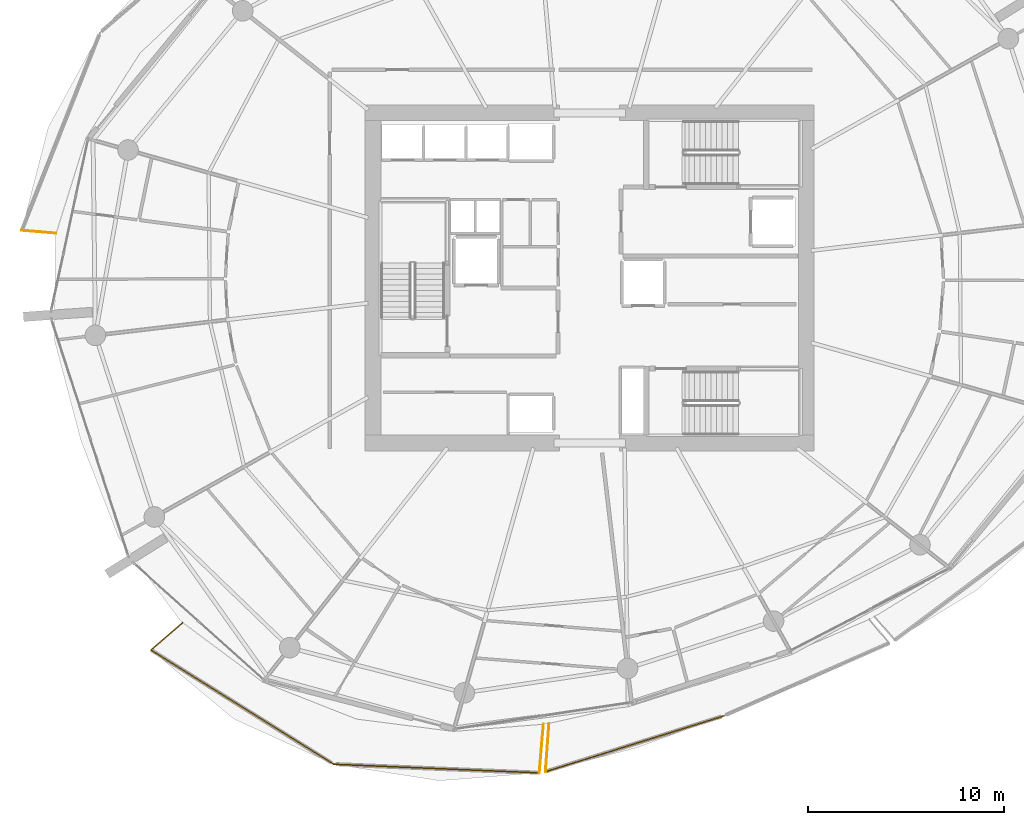
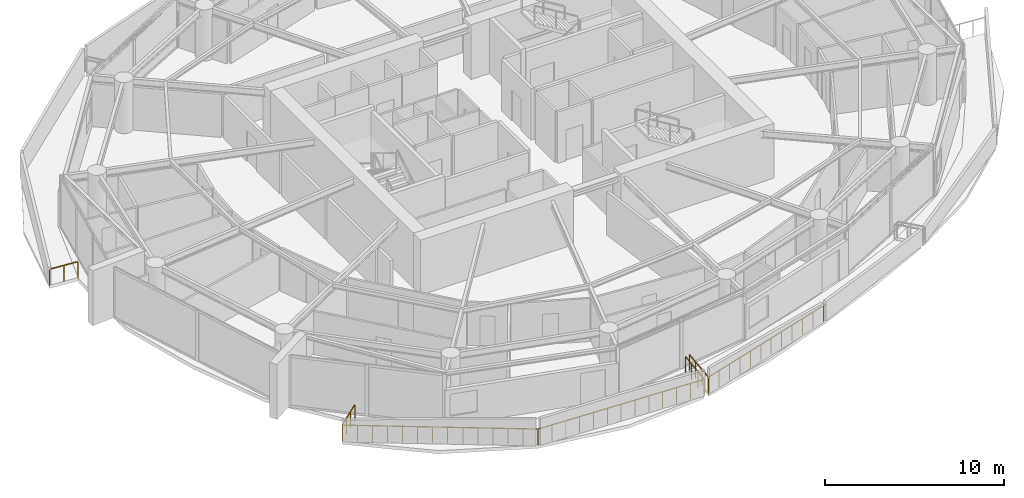
# One storey, part 16 of 20: 7 railings.
"""IFC4 building model written with IfcOpenShell, lengths in metres."""

from ifc_helpers import new_model, si_unit, direction, frame, origin, origin_2d, place, context, subcontext, project, spatial, rectangle, extrude, material, type_object, element, save


model = new_model("IFC4")

# Units and contexts
model_context = context("Model", 3, precision=1e-05, world=origin(), true_north=direction((0.0, 1.0)))
body_context = subcontext(model_context, "Body", "Model", "MODEL_VIEW")
ifc_project = project(units=[si_unit("LENGTHUNIT", "METRE"), si_unit("AREAUNIT", "SQUARE_METRE"), si_unit("VOLUMEUNIT", "CUBIC_METRE"), si_unit("PLANEANGLEUNIT", "RADIAN"), si_unit("MASSUNIT", "GRAM", prefix="KILO")], contexts=[model_context])

# Site, building, storey
site_placement = place(None, origin())
site = spatial("IfcSite", under=ifc_project, at=site_placement, CompositionType="ELEMENT")
building_placement = place(site_placement, origin())
building = spatial("IfcBuilding", under=site, at=building_placement, Name="Kazma Halo Residences", CompositionType="ELEMENT")
storey_placement = place(building_placement, frame((0.0, 0.0, 146.550048828125)))
storey = spatial("IfcBuildingStorey", under=building, at=storey_placement, Name="L36", CompositionType="ELEMENT", Elevation=146.550048828125)

# Railings
ifc_material = material(Name="Aluminium AW-6063 T6 Brushed Cap Rail", Category="aluminium")
railing_type = type_object("IfcRailingType", Name="RLG-BAL-CAP-1120", PredefinedType="BALUSTRADE", material=ifc_material)
railing_1_placement = place(storey_placement, frame((19.515380859375, 44.4169921875, 0.0)))
element("IfcRailing", 1, at=railing_1_placement, inside=storey, type_object=railing_type, Name="L36 NW wave balcony guard 4", PredefinedType="BALUSTRADE", context=body_context, shape_type="SweptSolid", body=[
    extrude(rectangle(XDim=0.050048828125, YDim=0.050048828125, at=origin_2d()), frame((0.04248046875, -0.003662109375, 1.09521484375), z_axis=(0.996415217957, -0.084597360621, 0.0), x_axis=(0.084597360621, 0.996415217957, 0.0)), (0.0, 0.0, 1.0), 1.67236328125),
    extrude(rectangle(XDim=0.0400390625, YDim=0.0400390625, at=origin_2d()), origin(), (0.0, 0.0, 1.0), 1.05810546875),
    extrude(rectangle(XDim=0.0400390625, YDim=0.0400390625, at=origin_2d()), frame((0.87548828125, -0.07421875, 0.0)), (0.0, 0.0, 1.0), 1.05810546875),
    extrude(rectangle(XDim=0.0400390625, YDim=0.0400390625, at=origin_2d()), frame((1.751220703125, -0.148681640625, 0.0)), (0.0, 0.0, 1.0), 1.05810546875),
])
railing_2_placement = place(storey_placement, frame((27.705322265625, 24.451416015625, 0.0)))
element("IfcRailing", 2, at=railing_2_placement, inside=storey, type_object=railing_type, Name="L36 SW wave balcony guard 1", PredefinedType="BALUSTRADE", context=body_context, shape_type="SweptSolid", body=[
    extrude(rectangle(XDim=0.050048828125, YDim=0.050048828125, at=origin_2d()), frame((-0.0322265625, -0.02783203125, 1.09521484375), z_axis=(-0.756373912854, -0.654139514136, 0.0), x_axis=(0.654139514136, -0.756373912854, 0.0)), (0.0, 0.0, 1.0), 2.042724609375),
    extrude(rectangle(XDim=0.0400390625, YDim=0.0400390625, at=origin_2d()), origin(), (0.0, 0.0, 1.0), 1.05810546875),
    extrude(rectangle(XDim=0.0400390625, YDim=0.0400390625, at=origin_2d()), frame((-0.536376953125, -0.4638671875, 0.0)), (0.0, 0.0, 1.0), 1.05810546875),
    extrude(rectangle(XDim=0.0400390625, YDim=0.0400390625, at=origin_2d()), frame((-1.072998046875, -0.927978515625, 0.0)), (0.0, 0.0, 1.0), 1.05810546875),
    extrude(rectangle(XDim=0.0400390625, YDim=0.0400390625, at=origin_2d()), frame((-1.609375, -1.391845703125, 0.0)), (0.0, 0.0, 1.0), 1.05810546875),
])
railing_3_placement = place(storey_placement, frame((26.095947265625, 23.0595703125, 0.0)))
element("IfcRailing", 3, at=railing_3_placement, inside=storey, type_object=railing_type, Name="L36 SW wave balcony guard 2", PredefinedType="BALUSTRADE", context=body_context, shape_type="SweptSolid", body=[
    extrude(rectangle(XDim=0.050048828125, YDim=0.050048828125, at=origin_2d()), frame((0.0361328125, -0.0224609375, 1.09521484375), z_axis=(0.847681544963, -0.530505417812, 0.0), x_axis=(0.530505417812, 0.847681544963, 0.0)), (0.0, 0.0, 1.0), 10.875244140625),
    extrude(rectangle(XDim=0.0400390625, YDim=0.0400390625, at=origin_2d()), origin(), (0.0, 0.0, 1.0), 1.05810546875),
    extrude(rectangle(XDim=0.0400390625, YDim=0.0400390625, at=origin_2d()), frame((0.714599609375, -0.447265625, 0.0)), (0.0, 0.0, 1.0), 1.05810546875),
    extrude(rectangle(XDim=0.0400390625, YDim=0.0400390625, at=origin_2d()), frame((1.429443359375, -0.89453125, 0.0)), (0.0, 0.0, 1.0), 1.05810546875),
    extrude(rectangle(XDim=0.0400390625, YDim=0.0400390625, at=origin_2d()), frame((2.14404296875, -1.341796875, 0.0)), (0.0, 0.0, 1.0), 1.05810546875),
    extrude(rectangle(XDim=0.0400390625, YDim=0.0400390625, at=origin_2d()), frame((2.858642578125, -1.7890625, 0.0)), (0.0, 0.0, 1.0), 1.05810546875),
    extrude(rectangle(XDim=0.0400390625, YDim=0.0400390625, at=origin_2d()), frame((3.573486328125, -2.236328125, 0.0)), (0.0, 0.0, 1.0), 1.05810546875),
    extrude(rectangle(XDim=0.0400390625, YDim=0.0400390625, at=origin_2d()), frame((4.2880859375, -2.68359375, 0.0)), (0.0, 0.0, 1.0), 1.05810546875),
    extrude(rectangle(XDim=0.0400390625, YDim=0.0400390625, at=origin_2d()), frame((5.002685546875, -3.130859375, 0.0)), (0.0, 0.0, 1.0), 1.05810546875),
    extrude(rectangle(XDim=0.0400390625, YDim=0.0400390625, at=origin_2d()), frame((5.71728515625, -3.578125, 0.0)), (0.0, 0.0, 1.0), 1.05810546875),
    extrude(rectangle(XDim=0.0400390625, YDim=0.0400390625, at=origin_2d()), frame((6.43212890625, -4.025390625, 0.0)), (0.0, 0.0, 1.0), 1.05810546875),
    extrude(rectangle(XDim=0.0400390625, YDim=0.0400390625, at=origin_2d()), frame((7.146728515625, -4.47265625, 0.0)), (0.0, 0.0, 1.0), 1.05810546875),
    extrude(rectangle(XDim=0.0400390625, YDim=0.0400390625, at=origin_2d()), frame((7.861328125, -4.919921875, 0.0)), (0.0, 0.0, 1.0), 1.05810546875),
    extrude(rectangle(XDim=0.0400390625, YDim=0.0400390625, at=origin_2d()), frame((8.576171875, -5.3671875, 0.0)), (0.0, 0.0, 1.0), 1.05810546875),
    extrude(rectangle(XDim=0.0400390625, YDim=0.0400390625, at=origin_2d()), frame((9.290771484375, -5.814453125, 0.0)), (0.0, 0.0, 1.0), 1.05810546875),
])
railing_4_placement = place(storey_placement, frame((35.38671875, 17.2451171875, 0.0)))
element("IfcRailing", 4, at=railing_4_placement, inside=storey, type_object=railing_type, Name="L36 SW wave balcony guard 3", PredefinedType="BALUSTRADE", context=body_context, shape_type="SweptSolid", body=[
    extrude(rectangle(XDim=0.050048828125, YDim=0.050048828125, at=origin_2d()), frame((0.04248046875, -0.001708984375, 1.09521484375), z_axis=(0.999119297939, -0.041959843733, 0.0), x_axis=(0.041959843733, 0.999119297939, 0.0)), (0.0, 0.0, 1.0), 10.399658203125),
    extrude(rectangle(XDim=0.0400390625, YDim=0.0400390625, at=origin_2d()), origin(), (0.0, 0.0, 1.0), 1.05810546875),
    extrude(rectangle(XDim=0.0400390625, YDim=0.0400390625, at=origin_2d()), frame((0.873046875, -0.03662109375, 0.0)), (0.0, 0.0, 1.0), 1.05810546875),
    extrude(rectangle(XDim=0.0400390625, YDim=0.0400390625, at=origin_2d()), frame((1.745849609375, -0.0732421875, 0.0)), (0.0, 0.0, 1.0), 1.05810546875),
    extrude(rectangle(XDim=0.0400390625, YDim=0.0400390625, at=origin_2d()), frame((2.618896484375, -0.10986328125, 0.0)), (0.0, 0.0, 1.0), 1.05810546875),
    extrude(rectangle(XDim=0.0400390625, YDim=0.0400390625, at=origin_2d()), frame((3.491943359375, -0.146728515625, 0.0)), (0.0, 0.0, 1.0), 1.05810546875),
    extrude(rectangle(XDim=0.0400390625, YDim=0.0400390625, at=origin_2d()), frame((4.36474609375, -0.183349609375, 0.0)), (0.0, 0.0, 1.0), 1.05810546875),
    extrude(rectangle(XDim=0.0400390625, YDim=0.0400390625, at=origin_2d()), frame((5.23779296875, -0.219970703125, 0.0)), (0.0, 0.0, 1.0), 1.05810546875),
    extrude(rectangle(XDim=0.0400390625, YDim=0.0400390625, at=origin_2d()), frame((6.11083984375, -0.256591796875, 0.0)), (0.0, 0.0, 1.0), 1.05810546875),
    extrude(rectangle(XDim=0.0400390625, YDim=0.0400390625, at=origin_2d()), frame((6.983642578125, -0.293212890625, 0.0)), (0.0, 0.0, 1.0), 1.05810546875),
    extrude(rectangle(XDim=0.0400390625, YDim=0.0400390625, at=origin_2d()), frame((7.856689453125, -0.330078125, 0.0)), (0.0, 0.0, 1.0), 1.05810546875),
    extrude(rectangle(XDim=0.0400390625, YDim=0.0400390625, at=origin_2d()), frame((8.729736328125, -0.36669921875, 0.0)), (0.0, 0.0, 1.0), 1.05810546875),
    extrude(rectangle(XDim=0.0400390625, YDim=0.0400390625, at=origin_2d()), frame((9.6025390625, -0.4033203125, 0.0)), (0.0, 0.0, 1.0), 1.05810546875),
    extrude(rectangle(XDim=0.0400390625, YDim=0.0400390625, at=origin_2d()), frame((10.4755859375, -0.43994140625, 0.0)), (0.0, 0.0, 1.0), 1.05810546875),
])
railing_5_placement = place(storey_placement, frame((45.8623046875, 16.80517578125, 0.0)))
element("IfcRailing", 5, at=railing_5_placement, inside=storey, type_object=railing_type, Name="L36 SW wave balcony guard 4", PredefinedType="BALUSTRADE", context=body_context, shape_type="SweptSolid", body=[
    extrude(rectangle(XDim=0.050048828125, YDim=0.050048828125, at=origin_2d()), frame((0.003662109375, 0.04248046875, 1.09521484375), z_axis=(0.084453003574, 0.996427463585, 0.0), x_axis=(-0.996427463585, 0.084453003574, 0.0)), (0.0, 0.0, 1.0), 2.398193359375),
    extrude(rectangle(XDim=0.0400390625, YDim=0.0400390625, at=origin_2d()), origin(), (0.0, 0.0, 1.0), 1.05810546875),
    extrude(rectangle(XDim=0.0400390625, YDim=0.0400390625, at=origin_2d()), frame((0.06982421875, 0.82470703125, 0.0)), (0.0, 0.0, 1.0), 1.05810546875),
    extrude(rectangle(XDim=0.0400390625, YDim=0.0400390625, at=origin_2d()), frame((0.139892578125, 1.649658203125, 0.0)), (0.0, 0.0, 1.0), 1.05810546875),
    extrude(rectangle(XDim=0.0400390625, YDim=0.0400390625, at=origin_2d()), frame((0.209716796875, 2.474365234375, 0.0)), (0.0, 0.0, 1.0), 1.05810546875),
])
railing_6_placement = place(storey_placement, frame((46.3544921875, 19.32177734375, 0.0)))
element("IfcRailing", 6, at=railing_6_placement, inside=storey, type_object=railing_type, Name="L36 SSE wave balcony guard 1", PredefinedType="BALUSTRADE", context=body_context, shape_type="SweptSolid", body=[
    extrude(rectangle(XDim=0.050048828125, YDim=0.050048828125, at=origin_2d()), frame((-0.003173828125, -0.04248046875, 1.09521484375), z_axis=(-0.072387043976, -0.997376616863, 0.0), x_axis=(0.997376616863, -0.072387043976, 0.0)), (0.0, 0.0, 1.0), 2.38037109375),
    extrude(rectangle(XDim=0.0400390625, YDim=0.0400390625, at=origin_2d()), origin(), (0.0, 0.0, 1.0), 1.05810546875),
    extrude(rectangle(XDim=0.0400390625, YDim=0.0400390625, at=origin_2d()), frame((-0.0595703125, -0.819580078125, 0.0)), (0.0, 0.0, 1.0), 1.05810546875),
    extrude(rectangle(XDim=0.0400390625, YDim=0.0400390625, at=origin_2d()), frame((-0.118896484375, -1.639404296875, 0.0)), (0.0, 0.0, 1.0), 1.05810546875),
    extrude(rectangle(XDim=0.0400390625, YDim=0.0400390625, at=origin_2d()), frame((-0.178466796875, -2.458984375, 0.0)), (0.0, 0.0, 1.0), 1.05810546875),
])
railing_7_placement = place(storey_placement, frame((46.176025390625, 16.86279296875, 0.0)))
element("IfcRailing", 7, at=railing_7_placement, inside=storey, type_object=railing_type, Name="L36 SSE wave balcony guard 2", PredefinedType="BALUSTRADE", context=body_context, shape_type="SweptSolid", body=[
    extrude(rectangle(XDim=0.050048828125, YDim=0.050048828125, at=origin_2d()), frame((0.04052734375, 0.0126953125, 1.09521484375), z_axis=(0.954419160953, 0.298469538154, 0.0), x_axis=(-0.298469538154, 0.954419160953, 0.0)), (0.0, 0.0, 1.0), 9.418212890625),
    extrude(rectangle(XDim=0.0400390625, YDim=0.0400390625, at=origin_2d()), origin(), (0.0, 0.0, 1.0), 1.05810546875),
    extrude(rectangle(XDim=0.0400390625, YDim=0.0400390625, at=origin_2d()), frame((0.824462890625, 0.2578125, 0.0)), (0.0, 0.0, 1.0), 1.05810546875),
    extrude(rectangle(XDim=0.0400390625, YDim=0.0400390625, at=origin_2d()), frame((1.649169921875, 0.515625, 0.0)), (0.0, 0.0, 1.0), 1.05810546875),
    extrude(rectangle(XDim=0.0400390625, YDim=0.0400390625, at=origin_2d()), frame((2.4736328125, 0.773681640625, 0.0)), (0.0, 0.0, 1.0), 1.05810546875),
    extrude(rectangle(XDim=0.0400390625, YDim=0.0400390625, at=origin_2d()), frame((3.298095703125, 1.031494140625, 0.0)), (0.0, 0.0, 1.0), 1.05810546875),
    extrude(rectangle(XDim=0.0400390625, YDim=0.0400390625, at=origin_2d()), frame((4.122802734375, 1.289306640625, 0.0)), (0.0, 0.0, 1.0), 1.05810546875),
    extrude(rectangle(XDim=0.0400390625, YDim=0.0400390625, at=origin_2d()), frame((4.947265625, 1.547119140625, 0.0)), (0.0, 0.0, 1.0), 1.05810546875),
    extrude(rectangle(XDim=0.0400390625, YDim=0.0400390625, at=origin_2d()), frame((5.77197265625, 1.804931640625, 0.0)), (0.0, 0.0, 1.0), 1.05810546875),
    extrude(rectangle(XDim=0.0400390625, YDim=0.0400390625, at=origin_2d()), frame((6.596435546875, 2.062744140625, 0.0)), (0.0, 0.0, 1.0), 1.05810546875),
    extrude(rectangle(XDim=0.0400390625, YDim=0.0400390625, at=origin_2d()), frame((7.4208984375, 2.32080078125, 0.0)), (0.0, 0.0, 1.0), 1.05810546875),
    extrude(rectangle(XDim=0.0400390625, YDim=0.0400390625, at=origin_2d()), frame((8.24560546875, 2.57861328125, 0.0)), (0.0, 0.0, 1.0), 1.05810546875),
    extrude(rectangle(XDim=0.0400390625, YDim=0.0400390625, at=origin_2d()), frame((9.070068359375, 2.83642578125, 0.0)), (0.0, 0.0, 1.0), 1.05810546875),
])

save(model, "model.ifc")
